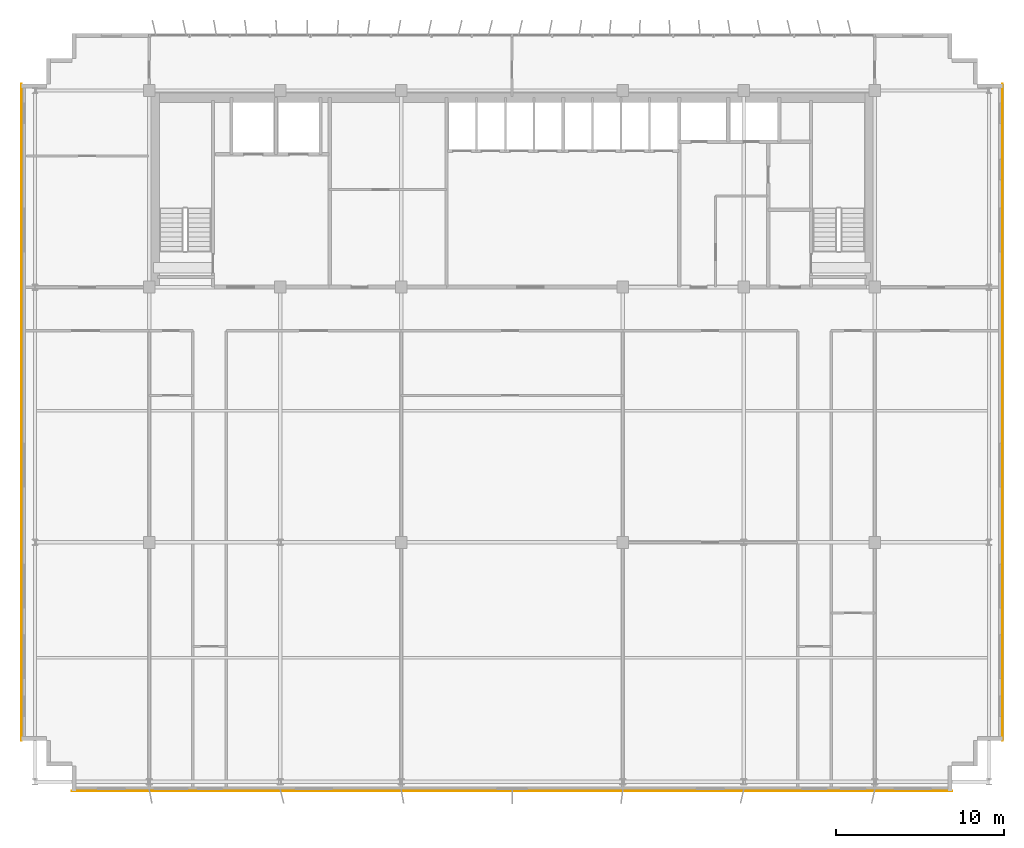
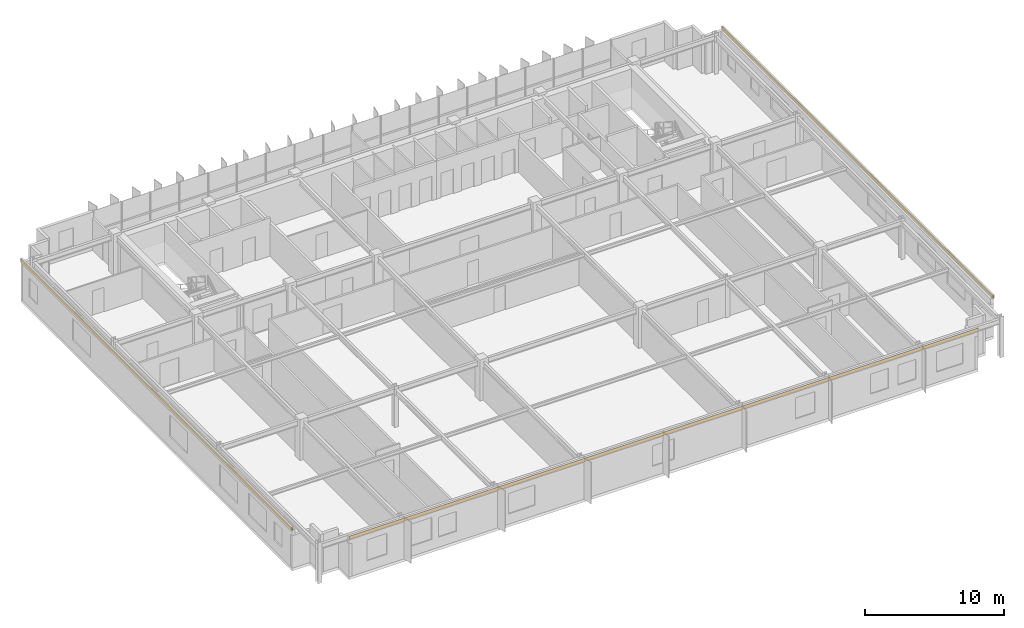
# One storey, part 18 of 19: 3 coverings.
"""IFC4 building model written with IfcOpenShell, lengths in metres."""

from ifc_helpers import new_model, si_unit, direction, frame, origin, origin_2d, place, context, subcontext, project, spatial, rectangle, extrude, source, transform, mapped, material, layer, layer_set, type_object, element, save


model = new_model("IFC4")

# Units and contexts
model_context = context("Model", 3, precision=1e-05, world=origin(), true_north=direction((0.0, 1.0)))
body_context = subcontext(model_context, "Body", "Model", "MODEL_VIEW")
ifc_project = project(units=[si_unit("LENGTHUNIT", "METRE"), si_unit("AREAUNIT", "SQUARE_METRE"), si_unit("VOLUMEUNIT", "CUBIC_METRE"), si_unit("PLANEANGLEUNIT", "RADIAN"), si_unit("MASSUNIT", "GRAM", prefix="KILO")], contexts=[model_context])

# Site, building, storey
site_placement = place(None, origin())
site = spatial("IfcSite", under=ifc_project, at=site_placement, CompositionType="ELEMENT")
building_placement = place(site_placement, origin())
building = spatial("IfcBuilding", under=site, at=building_placement, Name="Trelvane Seafront Commons", CompositionType="ELEMENT")
storey_placement = place(building_placement, frame((0.0, 0.0, 215.699951171875)))
storey = spatial("IfcBuildingStorey", under=building, at=storey_placement, Name="L56", CompositionType="ELEMENT", Elevation=215.699951171875)

# Coverings
ifc_material = material(Name="Anodised pale-silver aluminium", Category="aluminium")
ifc_layer = layer(ifc_material, 0.034912109375, Name="ARCH-COV-CLAD35")
ifc_layer_set = layer_set([ifc_layer], Name="Anodised pale-silver aluminium")
covering_type = type_object("IfcCoveringType", Name="ARCH-COV-CLAD35", PredefinedType="CLADDING", material=ifc_layer_set)
shared_shape_1 = source(origin(), body_context, "Body", "SweptSolid", [
    extrude(rectangle(XDim=39.10009765625, YDim=0.034912109375, at=origin_2d()), origin(), (0.0, 0.0, 1.0), 0.280029296875),
])
for number, where, z_axis, x_axis, name in (
    (1, (8.0, 25.949951171875, 3.31982421875), (0.0, 0.0, 1.0), (0.0, 1.0, 0.0), "CLD-L56-00232"),
    (2, (66.39990234375, 25.949951171875, 3.31982421875), (0.0, 0.0, 1.0), (0.0, -1.0, 0.0), "CLD-L56-00233"),
):
    element("IfcCovering", number, at=place(storey_placement, frame(where, z_axis=z_axis, x_axis=x_axis)), inside=storey, type_object=covering_type, Name=name, PredefinedType="CLADDING", context=body_context, shape_type="MappedRepresentation", body=[
        mapped(shared_shape_1, transform((0.0, 0.0, 0.0), x_axis=(1.0, 0.0, 0.0), y_axis=(0.0, 1.0, 0.0), z_axis=(0.0, 0.0, 1.0), scale=1.0)),
    ])
shared_shape_2 = source(origin(), body_context, "Body", "SweptSolid", [
    extrude(rectangle(XDim=52.39990234375, YDim=0.034912109375, at=origin_2d()), origin(), (0.0, 0.0, 1.0), 0.280029296875),
])
covering_placement = place(storey_placement, frame((37.199951171875, 3.39990234375, 3.31982421875), z_axis=(0.0, 0.0, 1.0), x_axis=(-1.0, 0.0, 0.0)))
element("IfcCovering", 3, at=covering_placement, inside=storey, type_object=covering_type, Name="CLD-L56-00234", PredefinedType="CLADDING", context=body_context, shape_type="MappedRepresentation", body=[
    mapped(shared_shape_2, transform((0.0, 0.0, 0.0), x_axis=(1.0, 0.0, 0.0), y_axis=(0.0, 1.0, 0.0), z_axis=(0.0, 0.0, 1.0), scale=1.0)),
])

save(model, "model.ifc")
